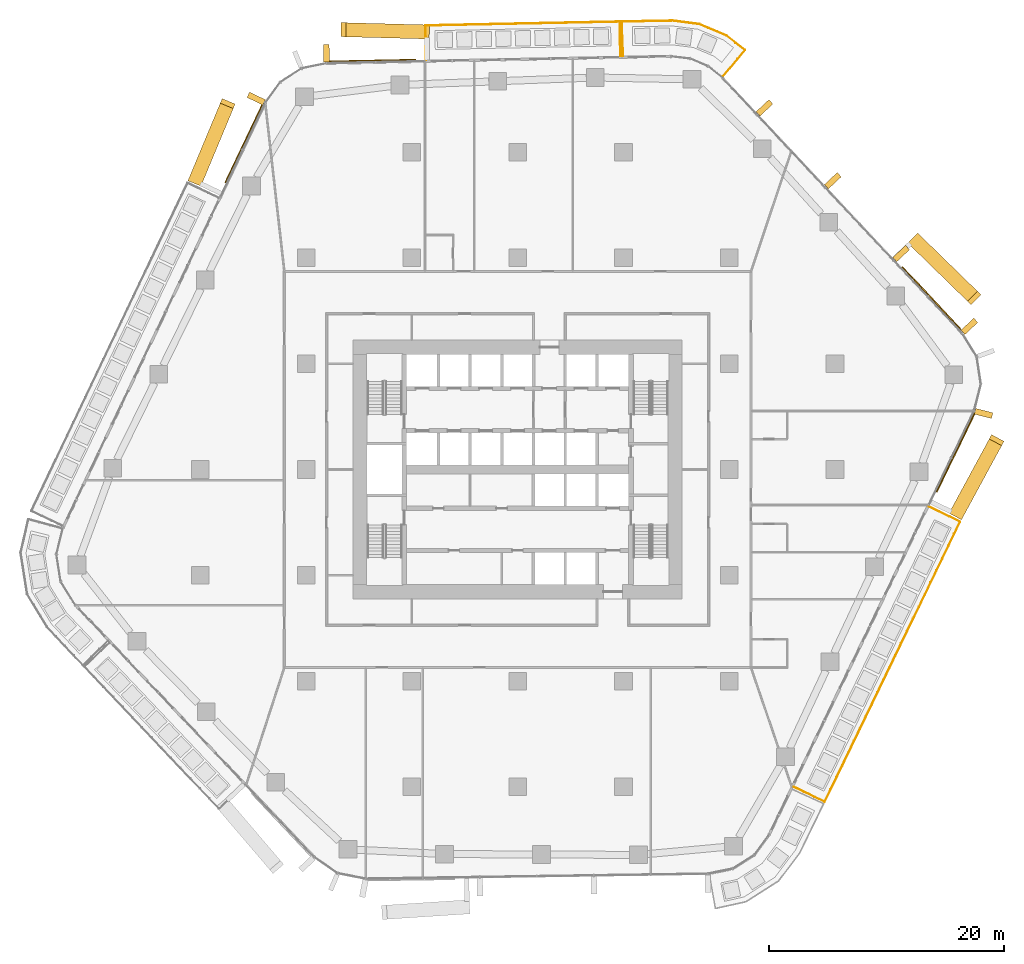
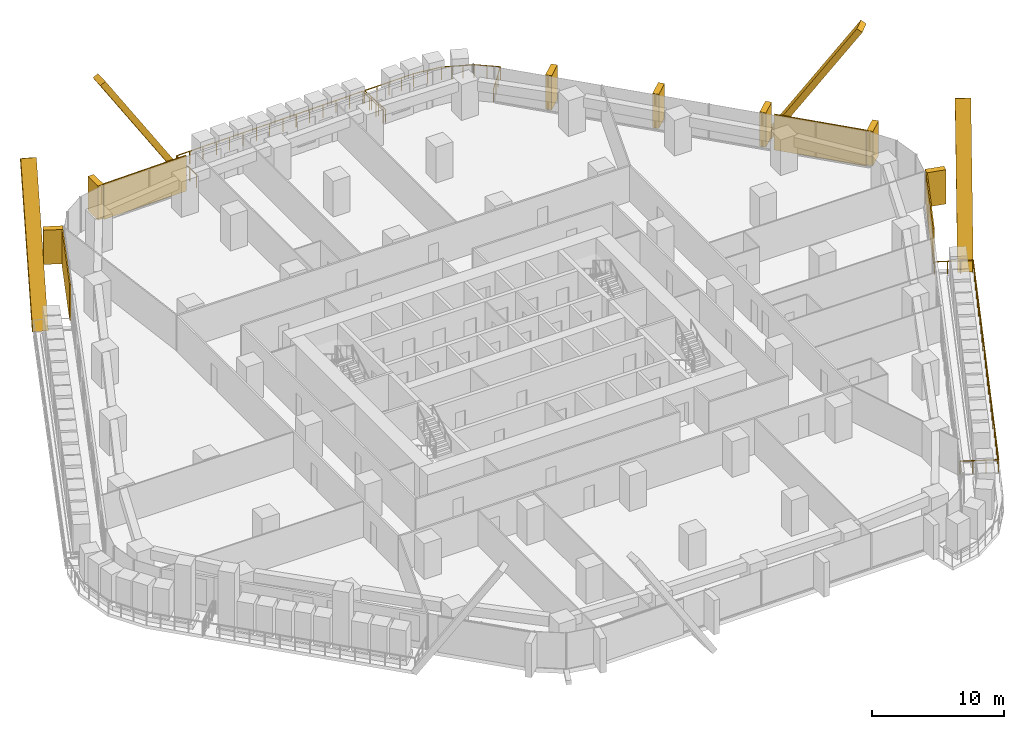
# One storey, part 24 of 24: 15 coverings, 3 railings, 5 elements without a shape of their own.
"""IFC4 building model written with IfcOpenShell, lengths in metres."""

from ifc_helpers import new_model, si_unit, direction, frame, origin, origin_2d, place, context, subcontext, project, spatial, rectangle, circle, extrude, material, layer, layer_set, material_profile, profile_set, type_object, element, aggregate, save


model = new_model("IFC4")

# Units and contexts
model_context = context("Model", 3, precision=1e-05, world=origin(), true_north=direction((0.0, 1.0)))
body_context = subcontext(model_context, "Body", "Model", "MODEL_VIEW")
ifc_project = project(units=[si_unit("LENGTHUNIT", "METRE"), si_unit("AREAUNIT", "SQUARE_METRE"), si_unit("VOLUMEUNIT", "CUBIC_METRE"), si_unit("PLANEANGLEUNIT", "RADIAN"), si_unit("MASSUNIT", "GRAM", prefix="KILO")], contexts=[model_context])

# Site, building, storey
site_placement = place(None, origin())
site = spatial("IfcSite", under=ifc_project, at=site_placement, CompositionType="ELEMENT")
building_placement = place(site_placement, origin())
building = spatial("IfcBuilding", under=site, at=building_placement, Name="Dongbaek Canopy Tower", CompositionType="ELEMENT")
storey_placement = place(building_placement, frame((0.0, 0.0, 51.39990234375)))
storey = spatial("IfcBuildingStorey", under=building, at=storey_placement, Name="L08", CompositionType="ELEMENT", Elevation=51.39990234375)

# Railings
ifc_material_1 = material(Name="Stainless steel", Category="steel")
railing_type = type_object("IfcRailingType", Name="Balcony balustrade 1200", PredefinedType="BALUSTRADE", material=ifc_material_1)
railing_1_placement = place(storey_placement, frame((8.749755859375, 35.16064453125, 0.0)))
element("IfcRailing", 1, at=railing_1_placement, inside=storey, type_object=railing_type, Name="Balcony guard L08 1", PredefinedType="BALUSTRADE", context=body_context, shape_type="SweptSolid", body=[
    extrude(circle(Radius=0.02392578125, at=origin_2d()), frame((0.0, 0.0, 1.17578125), z_axis=(-0.019931250494, 0.999801352897, 0.0), x_axis=(-0.999801352897, -0.019931250494, 0.0)), (0.0, 0.0, 1.0), 2.939697265625),
    extrude(circle(Radius=0.02392578125, at=origin_2d()), frame((-0.05859375, 2.939208984375, 1.17578125), z_axis=(-0.99980155692, -0.019921013534, 0.0), x_axis=(0.019921013534, -0.99980155692, 0.0)), (0.0, 0.0, 1.0), 16.532470703125),
    extrude(circle(Radius=0.02392578125, at=origin_2d()), frame((-16.587890625, 2.60986328125, 1.17578125), z_axis=(0.019929595732, -0.999801385883, 0.0), x_axis=(0.999801385883, 0.019929595732, 0.0)), (0.0, 0.0, 1.0), 2.93994140625),
    extrude(circle(Radius=0.02099609375, at=origin_2d()), origin(), (0.0, 0.0, 1.0), 1.15185546875),
    extrude(circle(Radius=0.02099609375, at=origin_2d()), frame((-0.01953125, 0.979736328125, 0.0)), (0.0, 0.0, 1.0), 1.15185546875),
    extrude(circle(Radius=0.02099609375, at=origin_2d()), frame((-0.0390625, 1.95947265625, 0.0)), (0.0, 0.0, 1.0), 1.15185546875),
    extrude(circle(Radius=0.02099609375, at=origin_2d()), frame((-0.05859375, 2.939208984375, 0.0)), (0.0, 0.0, 1.0), 1.15185546875),
    extrude(circle(Radius=0.02099609375, at=origin_2d()), frame((-1.2392578125, 2.915771484375, 0.0)), (0.0, 0.0, 1.0), 1.15185546875),
    extrude(circle(Radius=0.02099609375, at=origin_2d()), frame((-2.419921875, 2.89208984375, 0.0)), (0.0, 0.0, 1.0), 1.15185546875),
    extrude(circle(Radius=0.02099609375, at=origin_2d()), frame((-3.6005859375, 2.86865234375, 0.0)), (0.0, 0.0, 1.0), 1.15185546875),
    extrude(circle(Radius=0.02099609375, at=origin_2d()), frame((-4.78125, 2.84521484375, 0.0)), (0.0, 0.0, 1.0), 1.15185546875),
    extrude(circle(Radius=0.02099609375, at=origin_2d()), frame((-5.9619140625, 2.821533203125, 0.0)), (0.0, 0.0, 1.0), 1.15185546875),
    extrude(circle(Radius=0.02099609375, at=origin_2d()), frame((-7.142578125, 2.798095703125, 0.0)), (0.0, 0.0, 1.0), 1.15185546875),
    extrude(circle(Radius=0.02099609375, at=origin_2d()), frame((-8.3232421875, 2.7744140625, 0.0)), (0.0, 0.0, 1.0), 1.15185546875),
    extrude(circle(Radius=0.02099609375, at=origin_2d()), frame((-9.50390625, 2.7509765625, 0.0)), (0.0, 0.0, 1.0), 1.15185546875),
    extrude(circle(Radius=0.02099609375, at=origin_2d()), frame((-10.6845703125, 2.7275390625, 0.0)), (0.0, 0.0, 1.0), 1.15185546875),
    extrude(circle(Radius=0.02099609375, at=origin_2d()), frame((-11.865234375, 2.703857421875, 0.0)), (0.0, 0.0, 1.0), 1.15185546875),
    extrude(circle(Radius=0.02099609375, at=origin_2d()), frame((-13.0458984375, 2.680419921875, 0.0)), (0.0, 0.0, 1.0), 1.15185546875),
    extrude(circle(Radius=0.02099609375, at=origin_2d()), frame((-14.2265625, 2.656982421875, 0.0)), (0.0, 0.0, 1.0), 1.15185546875),
    extrude(circle(Radius=0.02099609375, at=origin_2d()), frame((-15.4072265625, 2.63330078125, 0.0)), (0.0, 0.0, 1.0), 1.15185546875),
    extrude(circle(Radius=0.02099609375, at=origin_2d()), frame((-16.587890625, 2.60986328125, 0.0)), (0.0, 0.0, 1.0), 1.15185546875),
    extrude(circle(Radius=0.02099609375, at=origin_2d()), frame((-16.568359375, 1.630126953125, 0.0)), (0.0, 0.0, 1.0), 1.15185546875),
    extrude(circle(Radius=0.02099609375, at=origin_2d()), frame((-16.548828125, 0.650146484375, 0.0)), (0.0, 0.0, 1.0), 1.15185546875),
    extrude(circle(Radius=0.02099609375, at=origin_2d()), frame((-16.529296875, -0.32958984375, 0.0)), (0.0, 0.0, 1.0), 1.15185546875),
])
railing_2_placement = place(storey_placement, frame((17.45703125, 33.421142578125, 0.0)))
element("IfcRailing", 2, at=railing_2_placement, inside=storey, type_object=railing_type, Name="Balcony guard L08 5", PredefinedType="BALUSTRADE", context=body_context, shape_type="SweptSolid", body=[
    extrude(circle(Radius=0.02392578125, at=origin_2d()), frame((0.0, 0.0, 1.17578125), z_axis=(0.642907779977, 0.765943592209, 0.0), x_axis=(-0.765943592209, 0.642907779977, 0.0)), (0.0, 0.0, 1.0), 2.940673828125),
    extrude(circle(Radius=0.02392578125, at=origin_2d()), frame((1.890625, 2.25244140625, 1.17578125), z_axis=(-0.787748761322, 0.61599666317, 0.0), x_axis=(-0.61599666317, -0.787748761322, 0.0)), (0.0, 0.0, 1.0), 2.0283203125),
    extrude(circle(Radius=0.02392578125, at=origin_2d()), frame((0.292724609375, 3.501953125, 1.17578125), z_axis=(-0.921559598396, 0.388236920713, 0.0), x_axis=(-0.388236920713, -0.921559598396, 0.0)), (0.0, 0.0, 1.0), 2.487060546875),
    extrude(circle(Radius=0.02392578125, at=origin_2d()), frame((-1.999267578125, 4.467529296875, 1.17578125), z_axis=(-0.991677748115, 0.128744879095, 0.0), x_axis=(-0.128744879095, -0.991677748115, 0.0)), (0.0, 0.0, 1.0), 2.283203125),
    extrude(circle(Radius=0.02392578125, at=origin_2d()), frame((-4.263427734375, 4.761474609375, 1.17578125), z_axis=(-0.999833112969, -0.018268722197, 0.0), x_axis=(0.018268722197, -0.999833112969, 0.0)), (0.0, 0.0, 1.0), 4.34326171875),
    extrude(circle(Radius=0.02392578125, at=origin_2d()), frame((-8.60595703125, 4.68212890625, 1.17578125), z_axis=(0.040349332627, -0.999185634082, 0.0), x_axis=(0.999185634082, 0.040349332627, 0.0)), (0.0, 0.0, 1.0), 2.940673828125),
    extrude(circle(Radius=0.02099609375, at=origin_2d()), origin(), (0.0, 0.0, 1.0), 1.15185546875),
    extrude(circle(Radius=0.02099609375, at=origin_2d()), frame((0.630126953125, 0.750732421875, 0.0)), (0.0, 0.0, 1.0), 1.15185546875),
    extrude(circle(Radius=0.02099609375, at=origin_2d()), frame((1.260498046875, 1.501708984375, 0.0)), (0.0, 0.0, 1.0), 1.15185546875),
    extrude(circle(Radius=0.02099609375, at=origin_2d()), frame((1.890625, 2.25244140625, 0.0)), (0.0, 0.0, 1.0), 1.15185546875),
    extrude(circle(Radius=0.02099609375, at=origin_2d()), frame((1.091796875, 2.877197265625, 0.0)), (0.0, 0.0, 1.0), 1.15185546875),
    extrude(circle(Radius=0.02099609375, at=origin_2d()), frame((0.292724609375, 3.501953125, 0.0)), (0.0, 0.0, 1.0), 1.15185546875),
    extrude(circle(Radius=0.02099609375, at=origin_2d()), frame((-0.47119140625, 3.82373046875, 0.0)), (0.0, 0.0, 1.0), 1.15185546875),
    extrude(circle(Radius=0.02099609375, at=origin_2d()), frame((-1.2353515625, 4.145751953125, 0.0)), (0.0, 0.0, 1.0), 1.15185546875),
    extrude(circle(Radius=0.02099609375, at=origin_2d()), frame((-1.999267578125, 4.467529296875, 0.0)), (0.0, 0.0, 1.0), 1.15185546875),
    extrude(circle(Radius=0.02099609375, at=origin_2d()), frame((-3.13134765625, 4.614501953125, 0.0)), (0.0, 0.0, 1.0), 1.15185546875),
    extrude(circle(Radius=0.02099609375, at=origin_2d()), frame((-4.263427734375, 4.761474609375, 0.0)), (0.0, 0.0, 1.0), 1.15185546875),
    extrude(circle(Radius=0.02099609375, at=origin_2d()), frame((-5.34912109375, 4.74169921875, 0.0)), (0.0, 0.0, 1.0), 1.15185546875),
    extrude(circle(Radius=0.02099609375, at=origin_2d()), frame((-6.4345703125, 4.7216796875, 0.0)), (0.0, 0.0, 1.0), 1.15185546875),
    extrude(circle(Radius=0.02099609375, at=origin_2d()), frame((-7.520263671875, 4.701904296875, 0.0)), (0.0, 0.0, 1.0), 1.15185546875),
    extrude(circle(Radius=0.02099609375, at=origin_2d()), frame((-8.60595703125, 4.68212890625, 0.0)), (0.0, 0.0, 1.0), 1.15185546875),
    extrude(circle(Radius=0.02099609375, at=origin_2d()), frame((-8.56640625, 3.70263671875, 0.0)), (0.0, 0.0, 1.0), 1.15185546875),
    extrude(circle(Radius=0.02099609375, at=origin_2d()), frame((-8.52685546875, 2.723388671875, 0.0)), (0.0, 0.0, 1.0), 1.15185546875),
    extrude(circle(Radius=0.02099609375, at=origin_2d()), frame((-8.4873046875, 1.743896484375, 0.0)), (0.0, 0.0, 1.0), 1.15185546875),
])
railing_3_placement = place(storey_placement, frame((23.4755859375, -26.99560546875, 0.0)))
element("IfcRailing", 3, at=railing_3_placement, inside=storey, type_object=railing_type, Name="Balcony guard L08 4", PredefinedType="BALUSTRADE", context=body_context, shape_type="SweptSolid", body=[
    extrude(circle(Radius=0.02392578125, at=origin_2d()), frame((0.0, 0.0, 1.17578125), z_axis=(0.900293637033, -0.435283088482, 0.0), x_axis=(0.435283088482, 0.900293637033, 0.0)), (0.0, 0.0, 1.0), 2.940185546875),
    extrude(circle(Radius=0.02392578125, at=origin_2d()), frame((2.64697265625, -1.27978515625, 1.17578125), z_axis=(0.435241934157, 0.900313533582, 0.0), x_axis=(-0.900313533582, 0.435241934157, 0.0)), (0.0, 0.0, 1.0), 26.46875),
    extrude(circle(Radius=0.02392578125, at=origin_2d()), frame((14.167236328125, 22.55029296875, 1.17578125), z_axis=(-0.900326176682, 0.435215780482, 0.0), x_axis=(-0.435215780482, -0.900326176682, 0.0)), (0.0, 0.0, 1.0), 2.93994140625),
    extrude(circle(Radius=0.02099609375, at=origin_2d()), origin(), (0.0, 0.0, 1.0), 1.15185546875),
    extrude(circle(Radius=0.02099609375, at=origin_2d()), frame((0.88232421875, -0.426513671875, 0.0)), (0.0, 0.0, 1.0), 1.15185546875),
    extrude(circle(Radius=0.02099609375, at=origin_2d()), frame((1.7646484375, -0.853271484375, 0.0)), (0.0, 0.0, 1.0), 1.15185546875),
    extrude(circle(Radius=0.02099609375, at=origin_2d()), frame((2.64697265625, -1.27978515625, 0.0)), (0.0, 0.0, 1.0), 1.15185546875),
    extrude(circle(Radius=0.02099609375, at=origin_2d()), frame((3.14794921875, -0.24365234375, 0.0)), (0.0, 0.0, 1.0), 1.15185546875),
    extrude(circle(Radius=0.02099609375, at=origin_2d()), frame((3.648681640625, 0.79248046875, 0.0)), (0.0, 0.0, 1.0), 1.15185546875),
    extrude(circle(Radius=0.02099609375, at=origin_2d()), frame((4.149658203125, 1.828369140625, 0.0)), (0.0, 0.0, 1.0), 1.15185546875),
    extrude(circle(Radius=0.02099609375, at=origin_2d()), frame((4.650390625, 2.864501953125, 0.0)), (0.0, 0.0, 1.0), 1.15185546875),
    extrude(circle(Radius=0.02099609375, at=origin_2d()), frame((5.1513671875, 3.900634765625, 0.0)), (0.0, 0.0, 1.0), 1.15185546875),
    extrude(circle(Radius=0.02099609375, at=origin_2d()), frame((5.65234375, 4.936767578125, 0.0)), (0.0, 0.0, 1.0), 1.15185546875),
    extrude(circle(Radius=0.02099609375, at=origin_2d()), frame((6.153076171875, 5.972900390625, 0.0)), (0.0, 0.0, 1.0), 1.15185546875),
    extrude(circle(Radius=0.02099609375, at=origin_2d()), frame((6.654052734375, 7.009033203125, 0.0)), (0.0, 0.0, 1.0), 1.15185546875),
    extrude(circle(Radius=0.02099609375, at=origin_2d()), frame((7.15478515625, 8.044921875, 0.0)), (0.0, 0.0, 1.0), 1.15185546875),
    extrude(circle(Radius=0.02099609375, at=origin_2d()), frame((7.65576171875, 9.0810546875, 0.0)), (0.0, 0.0, 1.0), 1.15185546875),
    extrude(circle(Radius=0.02099609375, at=origin_2d()), frame((8.15673828125, 10.1171875, 0.0)), (0.0, 0.0, 1.0), 1.15185546875),
    extrude(circle(Radius=0.02099609375, at=origin_2d()), frame((8.657470703125, 11.1533203125, 0.0)), (0.0, 0.0, 1.0), 1.15185546875),
    extrude(circle(Radius=0.02099609375, at=origin_2d()), frame((9.158447265625, 12.189453125, 0.0)), (0.0, 0.0, 1.0), 1.15185546875),
    extrude(circle(Radius=0.02099609375, at=origin_2d()), frame((9.659423828125, 13.2255859375, 0.0)), (0.0, 0.0, 1.0), 1.15185546875),
    extrude(circle(Radius=0.02099609375, at=origin_2d()), frame((10.16015625, 14.261474609375, 0.0)), (0.0, 0.0, 1.0), 1.15185546875),
    extrude(circle(Radius=0.02099609375, at=origin_2d()), frame((10.6611328125, 15.297607421875, 0.0)), (0.0, 0.0, 1.0), 1.15185546875),
    extrude(circle(Radius=0.02099609375, at=origin_2d()), frame((11.161865234375, 16.333740234375, 0.0)), (0.0, 0.0, 1.0), 1.15185546875),
    extrude(circle(Radius=0.02099609375, at=origin_2d()), frame((11.662841796875, 17.369873046875, 0.0)), (0.0, 0.0, 1.0), 1.15185546875),
    extrude(circle(Radius=0.02099609375, at=origin_2d()), frame((12.163818359375, 18.406005859375, 0.0)), (0.0, 0.0, 1.0), 1.15185546875),
    extrude(circle(Radius=0.02099609375, at=origin_2d()), frame((12.66455078125, 19.442138671875, 0.0)), (0.0, 0.0, 1.0), 1.15185546875),
    extrude(circle(Radius=0.02099609375, at=origin_2d()), frame((13.16552734375, 20.47802734375, 0.0)), (0.0, 0.0, 1.0), 1.15185546875),
    extrude(circle(Radius=0.02099609375, at=origin_2d()), frame((13.666259765625, 21.51416015625, 0.0)), (0.0, 0.0, 1.0), 1.15185546875),
    extrude(circle(Radius=0.02099609375, at=origin_2d()), frame((14.167236328125, 22.55029296875, 0.0)), (0.0, 0.0, 1.0), 1.15185546875),
    extrude(circle(Radius=0.02099609375, at=origin_2d()), frame((13.284912109375, 22.976806640625, 0.0)), (0.0, 0.0, 1.0), 1.15185546875),
    extrude(circle(Radius=0.02099609375, at=origin_2d()), frame((12.402587890625, 23.4033203125, 0.0)), (0.0, 0.0, 1.0), 1.15185546875),
    extrude(circle(Radius=0.02099609375, at=origin_2d()), frame((11.520263671875, 23.829833984375, 0.0)), (0.0, 0.0, 1.0), 1.15185546875),
])

# Curtain wall, covering
ifc_material_2 = material(Name="Aluminium 6063-T6 pale anodised", Category="aluminium")
ifc_layer_1 = layer(ifc_material_2, 0.199951171875)
ifc_layer_set_1 = layer_set([ifc_layer_1], Name="CW-1 unitised tower curtain wall")
curtain_wall_type = type_object("IfcCurtainWallType", Name="CW-1 unitised tower curtain wall", PredefinedType="NOTDEFINED", material=ifc_layer_set_1)
curtain_wall_1_placement = place(storey_placement, origin())
curtain_wall_1 = element("IfcCurtainWall", 4, at=curtain_wall_1_placement, inside=storey, type_object=curtain_wall_type, Name="CW-1 curtain wall F5.1", PredefinedType="NOTDEFINED")
ifc_material_3 = material(Name="Aluminium 6063-T6 pale metal fin", Category="aluminium")
ifc_material_profile_1 = material_profile(ifc_material_3, rectangle(XDim=1.199951171875, YDim=0.5, at=origin_2d()), Name="Crease fin CF1 500 x 1200 pale metal")
ifc_profile_set_1 = profile_set([ifc_material_profile_1], Name="Aluminium 6063-T6 pale metal fin")
covering_type_1 = type_object("IfcCoveringType", Name="Crease fin CF1 500 x 1200 pale metal", PredefinedType="CLADDING", material=ifc_profile_set_1)
covering_1_placement = place(storey_placement, frame((37.33154296875, -3.80810546875, -0.199951171875), z_axis=(0.258604337354, 0.477177558268, 0.83989604987), x_axis=(-0.879189197856, 0.476472826479, 0.0)))
covering_1 = element("IfcCovering", 5, at=covering_1_placement, type_object=covering_type_1, Name="Crease fin L08 L11 F5", PredefinedType="CLADDING", context=body_context, shape_type="SweptSolid", body=[
    extrude(rectangle(XDim=1.199951171875, YDim=0.5, at=origin_2d()), origin(), (0.0, 0.0, 1.0), 13.216064453125),
])

curtain_wall_2_placement = place(storey_placement, origin())
curtain_wall_2 = element("IfcCurtainWall", 6, at=curtain_wall_2_placement, inside=storey, type_object=curtain_wall_type, Name="CW-1 curtain wall F0.1", PredefinedType="NOTDEFINED")
covering_2_placement = place(storey_placement, frame((33.7568359375, 19.54931640625, -0.199951171875), z_axis=(0.386315146451, -0.376369263161, 0.842084785143), x_axis=(0.697826332106, 0.716266996461, 0.0)))
covering_2 = element("IfcCovering", 7, at=covering_2_placement, type_object=covering_type_1, Name="Crease fin L08 L11 F0", PredefinedType="CLADDING", context=body_context, shape_type="SweptSolid", body=[
    extrude(rectangle(XDim=1.199951171875, YDim=0.5, at=origin_2d()), origin(), (0.0, 0.0, 1.0), 13.181640625),
])

curtain_wall_3_placement = place(storey_placement, origin())
curtain_wall_3 = element("IfcCurtainWall", 8, at=curtain_wall_3_placement, inside=storey, type_object=curtain_wall_type, Name="CW-1 curtain wall F1.1", PredefinedType="NOTDEFINED")
covering_3_placement = place(storey_placement, frame((-7.726318359375, 37.22900390625, -0.199951171875), z_axis=(-0.538127472813, 0.014272463284, 0.842742617764), x_axis=(-0.026513134407, -0.999648465064, 0.0)))
covering_3 = element("IfcCovering", 9, at=covering_3_placement, type_object=covering_type_1, Name="Crease fin L08 L11 F1", PredefinedType="CLADDING", context=body_context, shape_type="SweptSolid", body=[
    extrude(rectangle(XDim=1.199951171875, YDim=0.5, at=origin_2d()), origin(), (0.0, 0.0, 1.0), 13.17138671875),
])

curtain_wall_4_placement = place(storey_placement, origin())
curtain_wall_4 = element("IfcCurtainWall", 10, at=curtain_wall_4_placement, inside=storey, type_object=curtain_wall_type, Name="CW-1 curtain wall F2.1", PredefinedType="NOTDEFINED")
covering_4_placement = place(storey_placement, frame((-27.418701171875, 24.53369140625, -0.199951171875), z_axis=(0.208456366387, 0.49969984821, 0.840741342513), x_axis=(-0.922914159472, 0.385005784692, 0.0)))
covering_4 = element("IfcCovering", 11, at=covering_4_placement, type_object=covering_type_1, Name="Crease fin L08 L11 F2", PredefinedType="CLADDING", context=body_context, shape_type="SweptSolid", body=[
    extrude(rectangle(XDim=1.199951171875, YDim=0.5, at=origin_2d()), origin(), (0.0, 0.0, 1.0), 13.20263671875),
])

# Covering
ifc_material_4 = material(Name="Perforated aluminium 6063-T6 pale metal screen", Category="aluminium")
ifc_layer_2 = layer(ifc_material_4, 0.10009765625)
ifc_layer_set_2 = layer_set([ifc_layer_2], Name="Facet screen FS1 100 pale metal")
covering_type_2 = type_object("IfcCoveringType", Name="Facet screen FS1 100 pale metal", PredefinedType="CLADDING", material=ifc_layer_set_2)
covering_5_placement = place(storey_placement, frame((37.276123046875, 1.445556640625, 0.0), z_axis=(0.0, 0.0, 1.0), x_axis=(0.435245241493, 0.900311934697, 0.0)))
covering_5 = element("IfcCovering", 12, at=covering_5_placement, type_object=covering_type_2, Name="Facet screen L08 F5", PredefinedType="CLADDING", context=body_context, shape_type="SweptSolid", body=[
    extrude(rectangle(XDim=7.463134765625, YDim=0.10009765625, at=origin_2d()), origin(), (0.0, 0.0, 1.0), 3.300048828125),
])

aggregate(curtain_wall_1, [covering_1, covering_5])

covering_6_placement = place(storey_placement, frame((35.223388671875, 14.569091796875, 0.0), z_axis=(0.0, 0.0, 1.0), x_axis=(-0.684120771704, 0.729368747427, 0.0)))
covering_6 = element("IfcCovering", 13, at=covering_6_placement, type_object=covering_type_2, Name="Facet screen L08 F0", PredefinedType="CLADDING", context=body_context, shape_type="SweptSolid", body=[
    extrude(rectangle(XDim=7.293701171875, YDim=0.10009765625, at=origin_2d()), origin(), (0.0, 0.0, 1.0), 3.300048828125),
])

covering_7_placement = place(storey_placement, frame((-12.319580078125, 34.78662109375, 0.0), z_axis=(0.0, 0.0, 1.0), x_axis=(-0.999801475381, -0.019925105424, 0.0)))
covering_7 = element("IfcCovering", 14, at=covering_7_placement, type_object=covering_type_2, Name="Facet screen L08 F1", PredefinedType="CLADDING", context=body_context, shape_type="SweptSolid", body=[
    extrude(rectangle(XDim=7.29443359375, YDim=0.10009765625, at=origin_2d()), origin(), (0.0, 0.0, 1.0), 3.300048828125),
])

covering_8_placement = place(storey_placement, frame((-23.300048828125, 27.6982421875, 0.0), z_axis=(0.0, 0.0, 1.0), x_axis=(-0.429789468049, -0.902929129641, 0.0)))
covering_8 = element("IfcCovering", 15, at=covering_8_placement, type_object=covering_type_2, Name="Facet screen L08 F2", PredefinedType="CLADDING", context=body_context, shape_type="SweptSolid", body=[
    extrude(rectangle(XDim=7.29443359375, YDim=0.10009765625, at=origin_2d()), origin(), (0.0, 0.0, 1.0), 3.300048828125),
])

# Curtain wall, covering
curtain_wall_5_placement = place(storey_placement, origin())
curtain_wall_5 = element("IfcCurtainWall", 16, at=curtain_wall_5_placement, inside=storey, type_object=curtain_wall_type, Name="CW-1 curtain wall K0.1", PredefinedType="NOTDEFINED")
ifc_material_5 = material(Name="Aluminium 6063-T6 pale metal fin", Category="aluminium")
ifc_material_profile_2 = material_profile(ifc_material_5, rectangle(XDim=1.5, YDim=0.5, at=origin_2d()), Name="Fin FN1 500 x 1500 pale metal")
ifc_profile_set_2 = profile_set([ifc_material_profile_2], Name="Aluminium 6063-T6 pale metal fin")
covering_type_3 = type_object("IfcCoveringType", Name="Fin FN1 500 x 1500 pale metal", PredefinedType="CLADDING", material=ifc_profile_set_2)
covering_9_placement = place(storey_placement, frame((39.64501953125, 4.76708984375, 0.1201171875), z_axis=(0.0, 0.0, 1.0), x_axis=(0.968988452796, -0.247106006298, 0.0)))
covering_9 = element("IfcCovering", 17, at=covering_9_placement, type_object=covering_type_3, Name="Fin K0.1.1", PredefinedType="CLADDING", context=body_context, shape_type="SweptSolid", body=[
    extrude(rectangle(XDim=1.5, YDim=0.5, at=origin_2d()), origin(), (0.0, 0.0, 1.0), 3.179931640625),
])
aggregate(curtain_wall_5, [covering_9])

# Covering
covering_10_placement = place(storey_placement, frame((38.43017578125, 12.179443359375, 0.1201171875), z_axis=(0.0, 0.0, 1.0), x_axis=(0.729369243815, 0.684120242484, 0.0)))
covering_10 = element("IfcCovering", 18, at=covering_10_placement, type_object=covering_type_3, Name="Fin F0.1.1", PredefinedType="CLADDING", context=body_context, shape_type="SweptSolid", body=[
    extrude(rectangle(XDim=1.5, YDim=0.5, at=origin_2d()), origin(), (0.0, 0.0, 1.0), 3.179931640625),
])

covering_11_placement = place(storey_placement, frame((32.62353515625, 18.3701171875, 0.1201171875), z_axis=(0.0, 0.0, 1.0), x_axis=(0.729369243815, 0.684120242484, 0.0)))
covering_11 = element("IfcCovering", 19, at=covering_11_placement, type_object=covering_type_3, Name="Fin F0.1.3", PredefinedType="CLADDING", context=body_context, shape_type="SweptSolid", body=[
    extrude(rectangle(XDim=1.5, YDim=0.5, at=origin_2d()), origin(), (0.0, 0.0, 1.0), 3.179931640625),
])

covering_12_placement = place(storey_placement, frame((26.81005859375, 24.568115234375, 0.1201171875), z_axis=(0.0, 0.0, 1.0), x_axis=(0.729369243815, 0.684120242484, 0.0)))
covering_12 = element("IfcCovering", 20, at=covering_12_placement, type_object=covering_type_3, Name="Fin F0.1.5", PredefinedType="CLADDING", context=body_context, shape_type="SweptSolid", body=[
    extrude(rectangle(XDim=1.5, YDim=0.5, at=origin_2d()), origin(), (0.0, 0.0, 1.0), 3.179931640625),
])

covering_13_placement = place(storey_placement, frame((20.99658203125, 30.76611328125, 0.1201171875), z_axis=(0.0, 0.0, 1.0), x_axis=(0.729369243815, 0.684120242484, 0.0)))
covering_13 = element("IfcCovering", 21, at=covering_13_placement, type_object=covering_type_3, Name="Fin F0.1.7", PredefinedType="CLADDING", context=body_context, shape_type="SweptSolid", body=[
    extrude(rectangle(XDim=1.5, YDim=0.5, at=origin_2d()), origin(), (0.0, 0.0, 1.0), 3.179931640625),
])

aggregate(curtain_wall_2, [covering_10, covering_11, covering_12, covering_13, covering_2, covering_6])

covering_14_placement = place(storey_placement, frame((-16.27001953125, 35.412109375, 0.1201171875), z_axis=(0.0, 0.0, 1.0), x_axis=(-0.019925757664, 0.999801462382, 0.0)))
covering_14 = element("IfcCovering", 22, at=covering_14_placement, type_object=covering_type_3, Name="Fin F1.1.3", PredefinedType="CLADDING", context=body_context, shape_type="SweptSolid", body=[
    extrude(rectangle(XDim=1.5, YDim=0.5, at=origin_2d()), origin(), (0.0, 0.0, 1.0), 3.179931640625),
])

aggregate(curtain_wall_3, [covering_14, covering_3, covering_7])

covering_15_placement = place(storey_placement, frame((-22.243408203125, 31.555908203125, 0.1201171875), z_axis=(0.0, 0.0, 1.0), x_axis=(-0.902928815129, 0.429790128796, 0.0)))
covering_15 = element("IfcCovering", 23, at=covering_15_placement, type_object=covering_type_3, Name="Fin F2.1.1", PredefinedType="CLADDING", context=body_context, shape_type="SweptSolid", body=[
    extrude(rectangle(XDim=1.5, YDim=0.5, at=origin_2d()), origin(), (0.0, 0.0, 1.0), 3.179931640625),
])

aggregate(curtain_wall_4, [covering_15, covering_4, covering_8])

save(model, "model.ifc")
